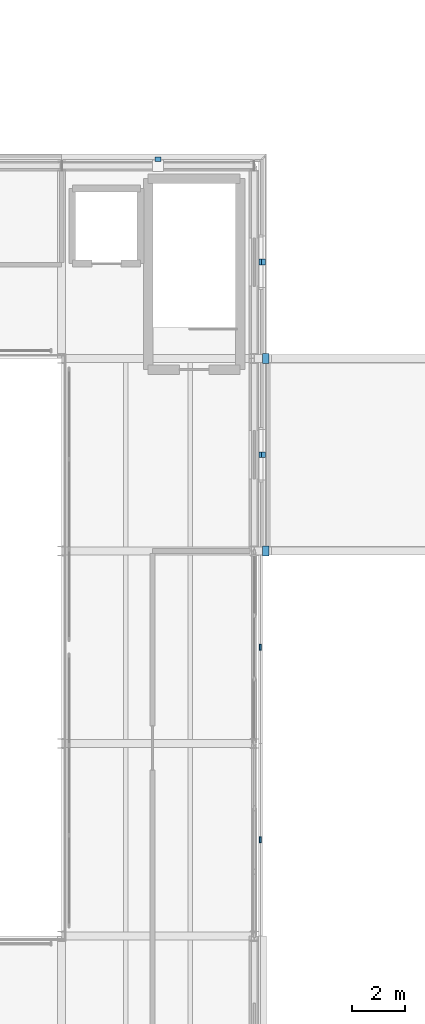
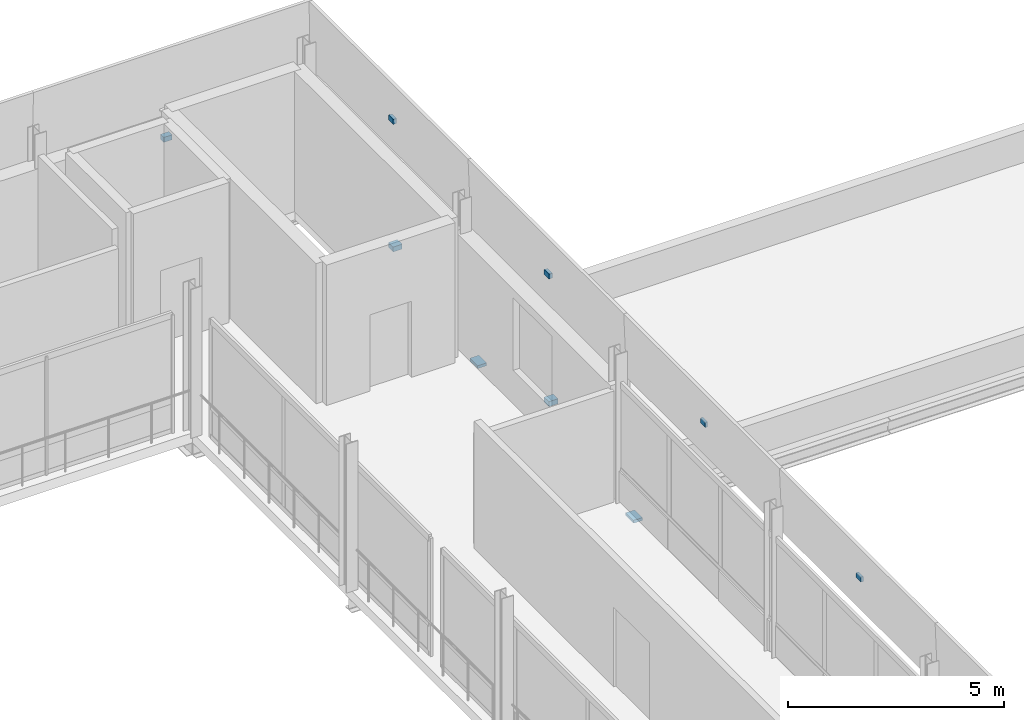
# One storey, part 73 of 91: 9 discrete accessories.
"""IFC4 building model written with IfcOpenShell, lengths in metres."""

from ifc_helpers import new_model, si_unit, direction, frame, origin, origin_2d, place, context, subcontext, project, spatial, rectangle, extrude, material, layer, layer_set, type_object, element, save


model = new_model("IFC4")

# Units and contexts
model_context = context("Model", 3, precision=1e-05, world=origin(), true_north=direction((0.0, 1.0)))
body_context = subcontext(model_context, "Body", "Model", "MODEL_VIEW")
ifc_project = project(units=[si_unit("LENGTHUNIT", "METRE"), si_unit("AREAUNIT", "SQUARE_METRE"), si_unit("VOLUMEUNIT", "CUBIC_METRE"), si_unit("PLANEANGLEUNIT", "RADIAN"), si_unit("MASSUNIT", "GRAM", prefix="KILO")], contexts=[model_context])

# Site, building, storey
site_placement = place(None, origin())
site = spatial("IfcSite", under=ifc_project, at=site_placement, CompositionType="ELEMENT")
building_placement = place(site_placement, origin())
building = spatial("IfcBuilding", under=site, at=building_placement, Name="Narikvali Park Central Library", CompositionType="ELEMENT")
storey_placement = place(building_placement, frame((0.0, 0.0, 14.39990234375)))
storey = spatial("IfcBuildingStorey", under=building, at=storey_placement, Name="L03", CompositionType="ELEMENT", Elevation=14.39990234375)

# Discrete accessories
ifc_material = material(Name="Brushed Stainless Steel S355", Category="steel")
ifc_layer_1 = layer(ifc_material, 0.139892578125, Name="Brushed Stainless Steel S355")
ifc_layer_set_1 = layer_set([ifc_layer_1], Name="Brushed Stainless Steel S355")
discrete_accessory_type_1 = type_object("IfcDiscreteAccessoryType", Name="Cladding Stainless Tie-Back Corbel Bracket", PredefinedType="BRACKET", material=ifc_layer_set_1)
for number, where, z_axis, x_axis, name in (
    (1, (101.0234375, 68.39990234375, 4.17529296875), (0.0, 0.0, 1.0), (1.0, 0.0, 0.0), "Limestone Cladding Tie-Back Bracket V1-CLD-L03-E-B02-HDR"),
    (2, (101.0234375, 75.60009765625, 4.17529296875), (0.0, 0.0, 1.0), (1.0, 0.0, 0.0), "Limestone Cladding Tie-Back Bracket V1-CLD-L03-E-B03-HDR"),
):
    element("IfcDiscreteAccessory", number, at=place(storey_placement, frame(where, z_axis=z_axis, x_axis=x_axis)), inside=storey, type_object=discrete_accessory_type_1, Name=name, PredefinedType="BRACKET", context=body_context, shape_type="SweptSolid", body=[
        extrude(rectangle(XDim=0.06689453125, YDim=0.219970703125, at=origin_2d()), origin(), (0.0, 0.0, 1.0), 0.139892578125),
    ])
discrete_accessory_1_placement = place(storey_placement, frame((101.090576171875, 82.800048828125, 0.4052734375), z_axis=(0.0, 0.0, 1.0), x_axis=(1.0, 0.0, 0.0)))
element("IfcDiscreteAccessory", 3, at=discrete_accessory_1_placement, inside=storey, type_object=discrete_accessory_type_1, Name="Limestone Cladding Tie-Back Bracket V1-CLD-L03-E-B04-SP", PredefinedType="BRACKET", context=body_context, shape_type="SweptSolid", body=[
    extrude(rectangle(XDim=0.2412109375, YDim=0.219970703125, at=origin_2d()), origin(), (0.0, 0.0, 1.0), 0.139892578125),
])
discrete_accessory_2_placement = place(storey_placement, frame((101.01708984375, 82.800048828125, 4.00537109375), z_axis=(0.0, 0.0, 1.0), x_axis=(1.0, 0.0, 0.0)))
element("IfcDiscreteAccessory", 4, at=discrete_accessory_2_placement, inside=storey, type_object=discrete_accessory_type_1, Name="Limestone Cladding Tie-Back Bracket V1-CLD-L03-E-B04-LN", PredefinedType="BRACKET", context=body_context, shape_type="SweptSolid", body=[
    extrude(rectangle(XDim=0.093994140625, YDim=0.219970703125, at=origin_2d()), origin(), (0.0, 0.0, 1.0), 0.139892578125),
])
discrete_accessory_3_placement = place(storey_placement, frame((101.090576171875, 90.0, 0.4052734375), z_axis=(0.0, 0.0, 1.0), x_axis=(1.0, 0.0, 0.0)))
element("IfcDiscreteAccessory", 5, at=discrete_accessory_3_placement, inside=storey, type_object=discrete_accessory_type_1, Name="Limestone Cladding Tie-Back Bracket V1-CLD-L03-E-B05-SP", PredefinedType="BRACKET", context=body_context, shape_type="SweptSolid", body=[
    extrude(rectangle(XDim=0.2412109375, YDim=0.219970703125, at=origin_2d()), origin(), (0.0, 0.0, 1.0), 0.139892578125),
])
discrete_accessory_4_placement = place(storey_placement, frame((101.01708984375, 90.0, 4.00537109375), z_axis=(0.0, 0.0, 1.0), x_axis=(1.0, 0.0, 0.0)))
element("IfcDiscreteAccessory", 6, at=discrete_accessory_4_placement, inside=storey, type_object=discrete_accessory_type_1, Name="Limestone Cladding Tie-Back Bracket V1-CLD-L03-E-B05-LN", PredefinedType="BRACKET", context=body_context, shape_type="SweptSolid", body=[
    extrude(rectangle(XDim=0.093994140625, YDim=0.219970703125, at=origin_2d()), origin(), (0.0, 0.0, 1.0), 0.139892578125),
])
discrete_accessory_5_placement = place(storey_placement, frame((97.199951171875, 93.84765625, 2.50537109375), z_axis=(0.0, 0.0, 1.0), x_axis=(1.0, 0.0, 0.0)))
element("IfcDiscreteAccessory", 7, at=discrete_accessory_5_placement, inside=storey, type_object=discrete_accessory_type_1, Name="Limestone Cladding Tie-Back Bracket V1-CLD-L03-N-B01-FULL", PredefinedType="BRACKET", context=body_context, shape_type="SweptSolid", body=[
    extrude(rectangle(XDim=0.219970703125, YDim=0.1552734375, at=origin_2d()), origin(), (0.0, 0.0, 1.0), 0.139892578125),
])
ifc_layer_2 = layer(ifc_material, 0.080078125, Name="Brushed Stainless Steel S355")
ifc_layer_set_2 = layer_set([ifc_layer_2], Name="Brushed Stainless Steel S355")
discrete_accessory_type_2 = type_object("IfcDiscreteAccessoryType", Name="Unguided PTFE Sliding Bridge Bearing", PredefinedType="BRACKET", material=ifc_layer_set_2)
for number, where, z_axis, x_axis, name in (
    (8, (101.22998046875, 79.199951171875, -0.7099609375), (0.0, 0.0, 1.0), (1.0, 0.0, 0.0), "BRG-3 L03 Unguided PTFE Sliding Bearing 1"),
    (9, (101.22998046875, 86.39990234375, -0.7099609375), (0.0, 0.0, 1.0), (1.0, 0.0, 0.0), "BRG-3 L03 Unguided PTFE Sliding Bearing 2"),
):
    element("IfcDiscreteAccessory", number, at=place(storey_placement, frame(where, z_axis=z_axis, x_axis=x_axis)), inside=storey, type_object=discrete_accessory_type_2, Name=name, PredefinedType="BRACKET", context=body_context, shape_type="SweptSolid", body=[
        extrude(rectangle(XDim=0.239990234375, YDim=0.360107421875, at=origin_2d()), origin(), (0.0, 0.0, 1.0), 0.080078125),
    ])

save(model, "model.ifc")
